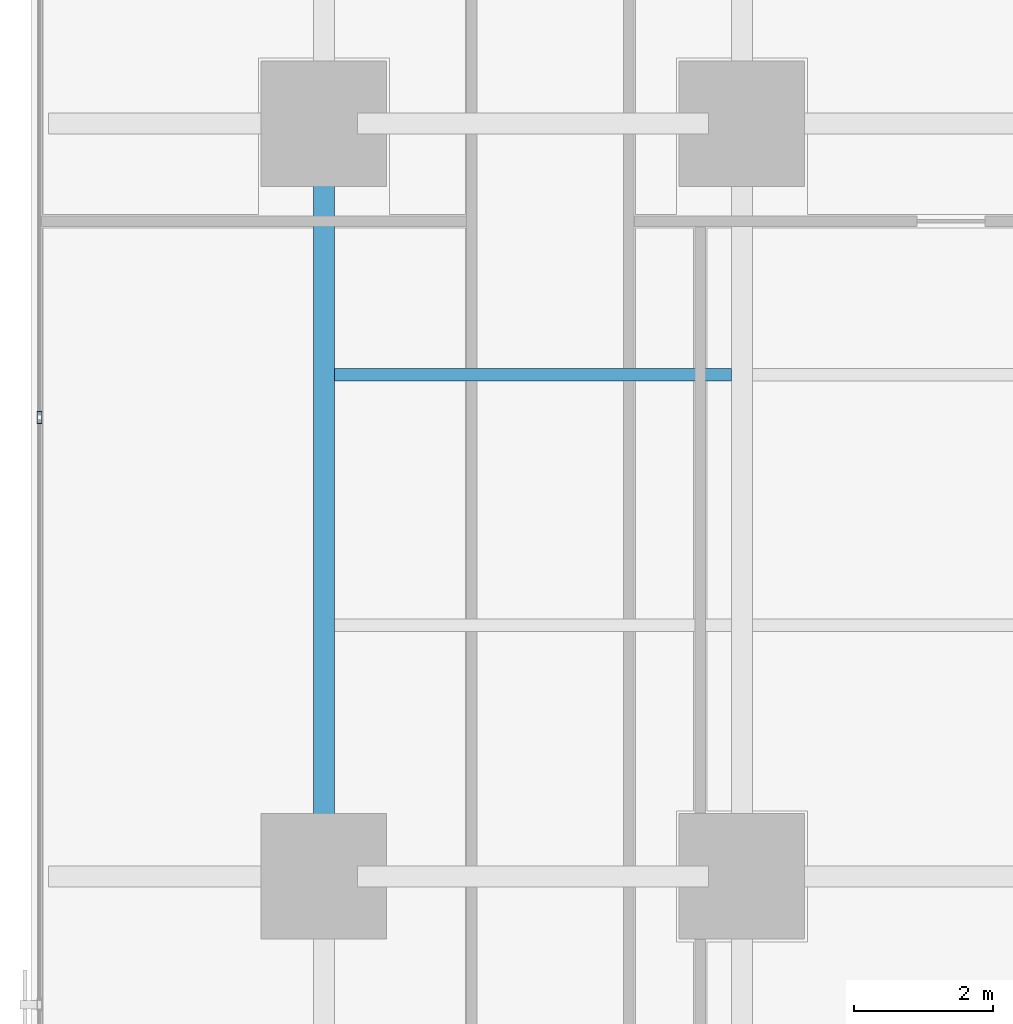
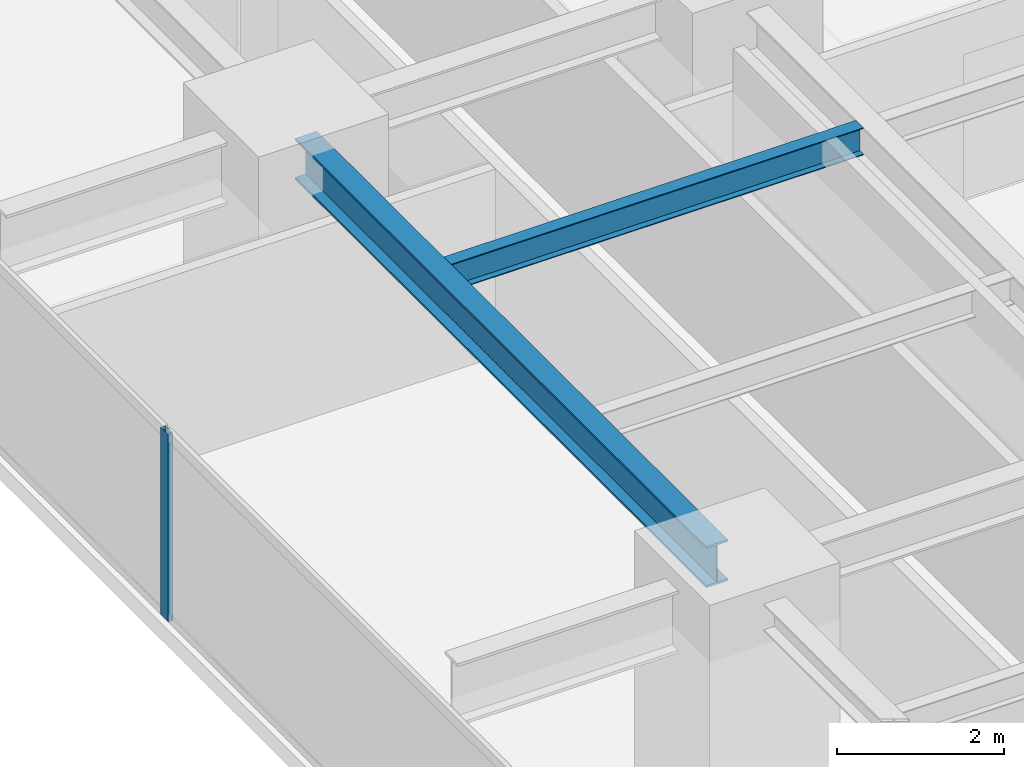
# One storey, part 7 of 32: 2 beams, 1 member, 1 element without a shape of its own.
"""IFC4 building model written with IfcOpenShell, lengths in metres."""

from ifc_helpers import new_model, si_unit, direction, frame, origin, origin_2d, place, context, subcontext, project, spatial, hollow_rectangle, i_section, extrude, source, transform, mapped, material, layer, layer_set, material_profile, profile_set, type_object, element, aggregate, save


model = new_model("IFC4")

# Units and contexts
model_context = context("Model", 3, precision=1e-05, world=origin(), true_north=direction((0.0, 1.0)))
body_context = subcontext(model_context, "Body", "Model", "MODEL_VIEW")
ifc_project = project(units=[si_unit("LENGTHUNIT", "METRE"), si_unit("AREAUNIT", "SQUARE_METRE"), si_unit("VOLUMEUNIT", "CUBIC_METRE"), si_unit("PLANEANGLEUNIT", "RADIAN"), si_unit("MASSUNIT", "GRAM", prefix="KILO")], contexts=[model_context])

# Site, building, storey
site_placement = place(None, origin())
site = spatial("IfcSite", under=ifc_project, at=site_placement, CompositionType="ELEMENT")
building_placement = place(site_placement, origin())
building = spatial("IfcBuilding", under=site, at=building_placement, Name="Sumidabori Civic Tower", CompositionType="ELEMENT")
storey_placement = place(building_placement, frame((0.0, 0.0, 48.800048828125)))
storey = spatial("IfcBuildingStorey", under=building, at=storey_placement, Name="L12", CompositionType="ELEMENT", Elevation=48.800048828125)

# Beams
ifc_material_1 = material(Name="Steel SN490", Category="steel")
ifc_material_profile_1 = material_profile(ifc_material_1, i_section(OverallWidth=0.300048828125, OverallDepth=0.60009765625, WebThickness=0.015380859375, FlangeThickness=0.030029296875, at=origin_2d()), Name="HE 600 B")
ifc_profile_set_1 = profile_set([ifc_material_profile_1], Name="Steel SN490")
beam_type_1 = type_object("IfcBeamType", Name="BM-GIRD-600", PredefinedType="BEAM", material=ifc_profile_set_1)
shared_shape_1 = source(origin(), body_context, "Body", "SweptSolid", [
    extrude(i_section(OverallWidth=0.300048828125, OverallDepth=0.60009765625, WebThickness=0.015380859375, FlangeThickness=0.030029296875, at=origin_2d()), origin(), (0.0, 0.0, 1.0), 9.840087890625),
])
beam_1_placement = place(storey_placement, frame((-22.800048828125, -10.320068359375, 3.06005859375), z_axis=(0.0, 1.0, 0.0), x_axis=(-1.0, 0.0, 0.0)))
element("IfcBeam", 1, at=beam_1_placement, inside=storey, type_object=beam_type_1, Name="Primary Girder L12 GY-22", PredefinedType="BEAM", context=body_context, shape_type="MappedRepresentation", body=[
    mapped(shared_shape_1, transform((0.0, 0.0, 0.0), x_axis=(1.0, 0.0, 0.0), y_axis=(0.0, 1.0, 0.0), z_axis=(0.0, 0.0, 1.0), scale=1.0)),
])
ifc_material_profile_2 = material_profile(ifc_material_1, i_section(OverallWidth=0.179931640625, OverallDepth=0.39990234375, WebThickness=0.008544921875, FlangeThickness=0.013427734375, at=origin_2d()), Name="IPE 400")
ifc_profile_set_2 = profile_set([ifc_material_profile_2], Name="Steel SN490")
beam_type_2 = type_object("IfcBeamType", Name="BM-JST-400", PredefinedType="JOIST", material=ifc_profile_set_2)
shared_shape_2 = source(origin(), body_context, "Body", "SweptSolid", [
    extrude(i_section(OverallWidth=0.179931640625, OverallDepth=0.39990234375, WebThickness=0.008544921875, FlangeThickness=0.013427734375, at=origin_2d()), origin(), (0.0, 0.0, 1.0), 5.699951171875),
])
beam_2_placement = place(storey_placement, frame((-22.64990234375, -3.60009765625, 3.159912109375), z_axis=(1.0, 0.0, 0.0), x_axis=(0.0, 1.0, 0.0)))
element("IfcBeam", 2, at=beam_2_placement, inside=storey, type_object=beam_type_2, Name="Outer Bay Floor Joist L12 JSTO-51", PredefinedType="JOIST", context=body_context, shape_type="MappedRepresentation", body=[
    mapped(shared_shape_2, transform((0.0, 0.0, 0.0), x_axis=(1.0, 0.0, 0.0), y_axis=(0.0, 1.0, 0.0), z_axis=(0.0, 0.0, 1.0), scale=1.0)),
])

# Curtain wall, member
ifc_material_2 = material(Name="Anodised Bronze Aluminium AW-6063-T6", Category="aluminium")
ifc_layer = layer(ifc_material_2, 0.179931640625, Name="Anodised Bronze Aluminium AW-6063-T6")
ifc_layer_set = layer_set([ifc_layer], Name="Anodised Bronze Aluminium AW-6063-T6")
curtain_wall_type = type_object("IfcCurtainWallType", Name="CW-SYS-2", PredefinedType="NOTDEFINED", material=ifc_layer_set)
curtain_wall_placement = place(storey_placement, origin())
curtain_wall = element("IfcCurtainWall", 3, at=curtain_wall_placement, inside=storey, type_object=curtain_wall_type, Name="Curtain Wall CW:L12:R10", PredefinedType="NOTDEFINED")
ifc_material_profile_3 = material_profile(ifc_material_2, hollow_rectangle(XDim=0.070068359375, YDim=0.179931640625, WallThickness=0.006103515625, at=origin_2d()), Name="ALU MULLION 180x70")
ifc_profile_set_3 = profile_set([ifc_material_profile_3], Name="Anodised Bronze Aluminium AW-6063-T6")
member_type = type_object("IfcMemberType", Name="CW-MUL-180", PredefinedType="MULLION", material=ifc_profile_set_3)
shared_shape_3 = source(origin(), body_context, "Body", "SweptSolid", [
    extrude(hollow_rectangle(XDim=0.070068359375, YDim=0.179931640625, WallThickness=0.006103515625, at=origin_2d()), origin(), (0.0, 0.0, 1.0), 2.739990234375),
])
member_placement = place(storey_placement, frame((-26.8798828125, -4.214111328125, 0.0), z_axis=(0.0, 0.0, 1.0), x_axis=(1.0, 0.0, 0.0)))
member = element("IfcMember", 4, at=member_placement, type_object=member_type, Name="CW-2 mullion 4", PredefinedType="MULLION", context=body_context, shape_type="MappedRepresentation", body=[
    mapped(shared_shape_3, transform((0.0, 0.0, 0.0), x_axis=(1.0, 0.0, 0.0), y_axis=(0.0, 1.0, 0.0), z_axis=(0.0, 0.0, 1.0), scale=1.0)),
])
aggregate(curtain_wall, [member])

save(model, "model.ifc")
